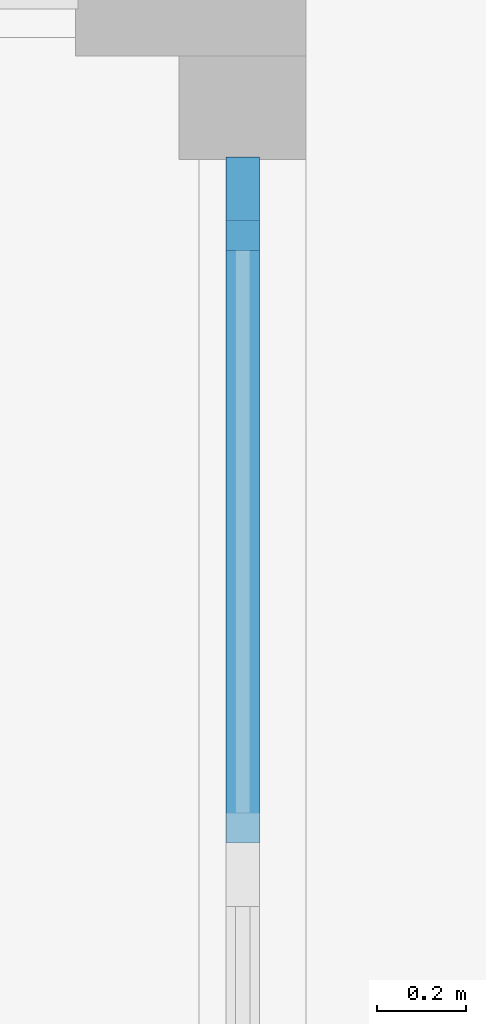
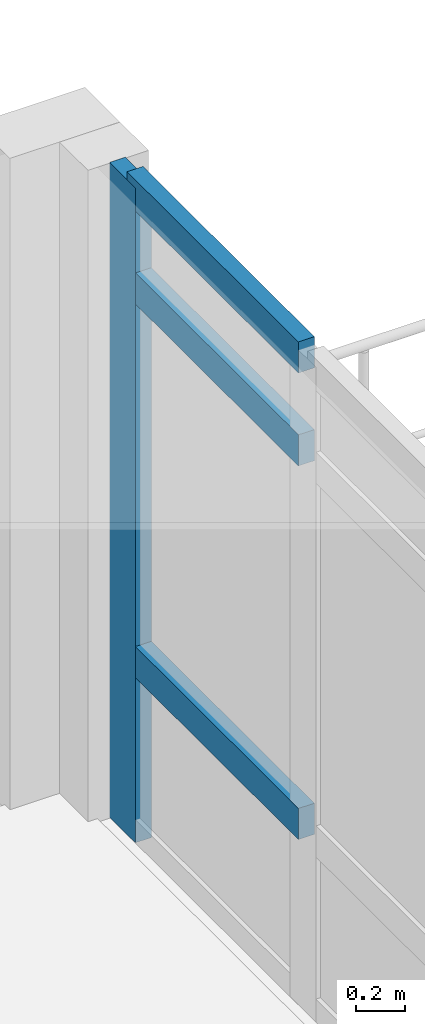
# One storey, part 18 of 64: 4 members, 1 element without a shape of its own.
"""IFC4 building model written with IfcOpenShell, lengths in metres."""

from ifc_helpers import new_model, si_unit, direction, frame, origin, origin_2d, place, context, subcontext, project, spatial, rectangle, extrude, material, layer, layer_set, material_profile, profile_set, type_object, element, aggregate, save


model = new_model("IFC4")

# Units and contexts
model_context = context("Model", 3, precision=1e-05, world=origin(), true_north=direction((0.0, 1.0)))
body_context = subcontext(model_context, "Body", "Model", "MODEL_VIEW")
ifc_project = project(units=[si_unit("LENGTHUNIT", "METRE"), si_unit("AREAUNIT", "SQUARE_METRE"), si_unit("VOLUMEUNIT", "CUBIC_METRE"), si_unit("PLANEANGLEUNIT", "RADIAN"), si_unit("MASSUNIT", "GRAM", prefix="KILO")], contexts=[model_context])

# Site, building, storey
site_placement = place(None, origin())
site = spatial("IfcSite", under=ifc_project, at=site_placement, CompositionType="ELEMENT")
building_placement = place(site_placement, origin())
building = spatial("IfcBuilding", under=site, at=building_placement, Name="Solenvale Faculty of Natural Sciences", CompositionType="ELEMENT")
storey_placement = place(building_placement, frame((0.0, 0.0, 18.0)))
storey = spatial("IfcBuildingStorey", under=building, at=storey_placement, Name="L04", CompositionType="ELEMENT", Elevation=18.0)

# Curtain wall, members
ifc_material = material(Name="Anodised bronze aluminium", Category="aluminium")
ifc_layer = layer(ifc_material, 0.199951171875)
ifc_layer_set = layer_set([ifc_layer], Name="Anodised bronze aluminium")
curtain_wall_type = type_object("IfcCurtainWallType", Name="CW-COM-FIN", PredefinedType="USERDEFINED", material=ifc_layer_set)
curtain_wall_placement = place(storey_placement, origin())
curtain_wall = element("IfcCurtainWall", 1, at=curtain_wall_placement, inside=storey, type_object=curtain_wall_type, Name="L04 Curtain Wall CW-L04-P2-E2-B2", ObjectType="UNITISED CURTAIN WALL", PredefinedType="USERDEFINED")
ifc_material_profile_1 = material_profile(ifc_material, rectangle(XDim=0.074951171875, YDim=0.2099609375, at=origin_2d()), Name="ALU-MUL-75x210")
ifc_profile_set_1 = profile_set([ifc_material_profile_1], Name="Anodised bronze aluminium")
member_type_1 = type_object("IfcMemberType", Name="CWM-ALU-75x210", PredefinedType="MULLION", material=ifc_profile_set_1)
member_1_placement = place(storey_placement, frame((156.0576171875, 56.982421875, 0.0), z_axis=(0.0, 0.0, 1.0), x_axis=(-1.0, 0.0, 0.0)))
member_1 = element("IfcMember", 2, at=member_1_placement, type_object=member_type_1, Name="CW-03 mullion 5", PredefinedType="MULLION", context=body_context, shape_type="SweptSolid", body=[
    extrude(rectangle(XDim=0.074951171875, YDim=0.2099609375, at=origin_2d()), origin(), (0.0, 0.0, 1.0), 3.260009765625),
])
ifc_material_profile_2 = material_profile(ifc_material, rectangle(XDim=0.074951171875, YDim=0.155029296875, at=origin_2d()), Name="ALU-TRN-75x155")
ifc_profile_set_2 = profile_set([ifc_material_profile_2], Name="Anodised bronze aluminium")
member_type_2 = type_object("IfcMemberType", Name="CWT-ALU-75x155", PredefinedType="USERDEFINED", material=ifc_profile_set_2)
member_2_placement = place(storey_placement, frame((156.0576171875, 55.547607421875, 0.89990234375), z_axis=(0.0, 1.0, 0.0), x_axis=(-1.0, 0.0, 0.0)))
member_2 = element("IfcMember", 3, at=member_2_placement, type_object=member_type_2, Name="CW-03 transom 4.2", ObjectType="TRANSOM", PredefinedType="USERDEFINED", context=body_context, shape_type="SweptSolid", body=[
    extrude(rectangle(XDim=0.074951171875, YDim=0.155029296875, at=origin_2d()), origin(), (0.0, 0.0, 1.0), 1.3974609375),
])
member_3_placement = place(storey_placement, frame((156.0576171875, 55.547607421875, 2.760009765625), z_axis=(0.0, 1.0, 0.0), x_axis=(-1.0, 0.0, 0.0)))
member_3 = element("IfcMember", 4, at=member_3_placement, type_object=member_type_2, Name="CW-03 transom 4.3", ObjectType="TRANSOM", PredefinedType="USERDEFINED", context=body_context, shape_type="SweptSolid", body=[
    extrude(rectangle(XDim=0.074951171875, YDim=0.155029296875, at=origin_2d()), origin(), (0.0, 0.0, 1.0), 1.3974609375),
])
member_4_placement = place(storey_placement, frame((156.0576171875, 55.547607421875, 3.222412109375), z_axis=(0.0, 1.0, 0.0), x_axis=(-1.0, 0.0, 0.0)))
member_4 = element("IfcMember", 5, at=member_4_placement, type_object=member_type_2, Name="CW-03 transom 4.4", ObjectType="TRANSOM", PredefinedType="USERDEFINED", context=body_context, shape_type="SweptSolid", body=[
    extrude(rectangle(XDim=0.074951171875, YDim=0.155029296875, at=origin_2d()), origin(), (0.0, 0.0, 1.0), 1.3974609375),
])
aggregate(curtain_wall, [member_1, member_2, member_3, member_4])

save(model, "model.ifc")
